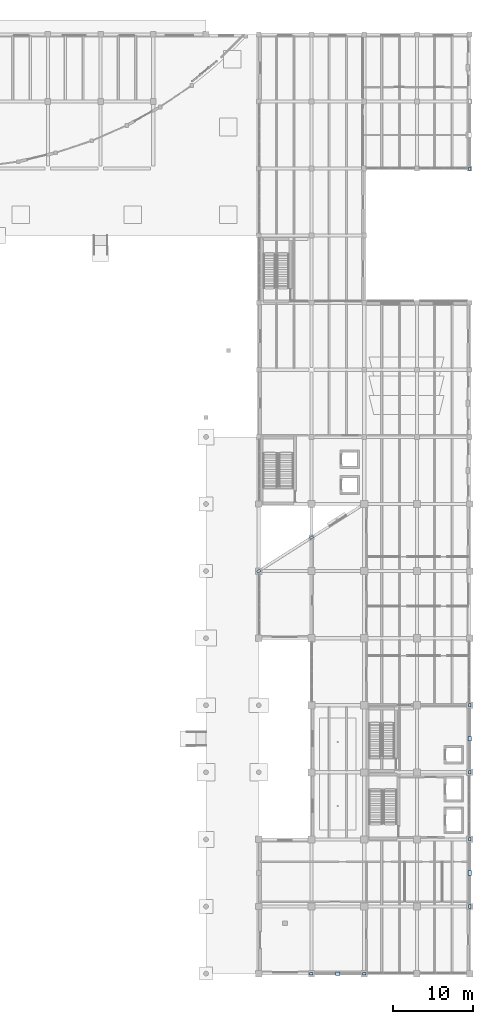
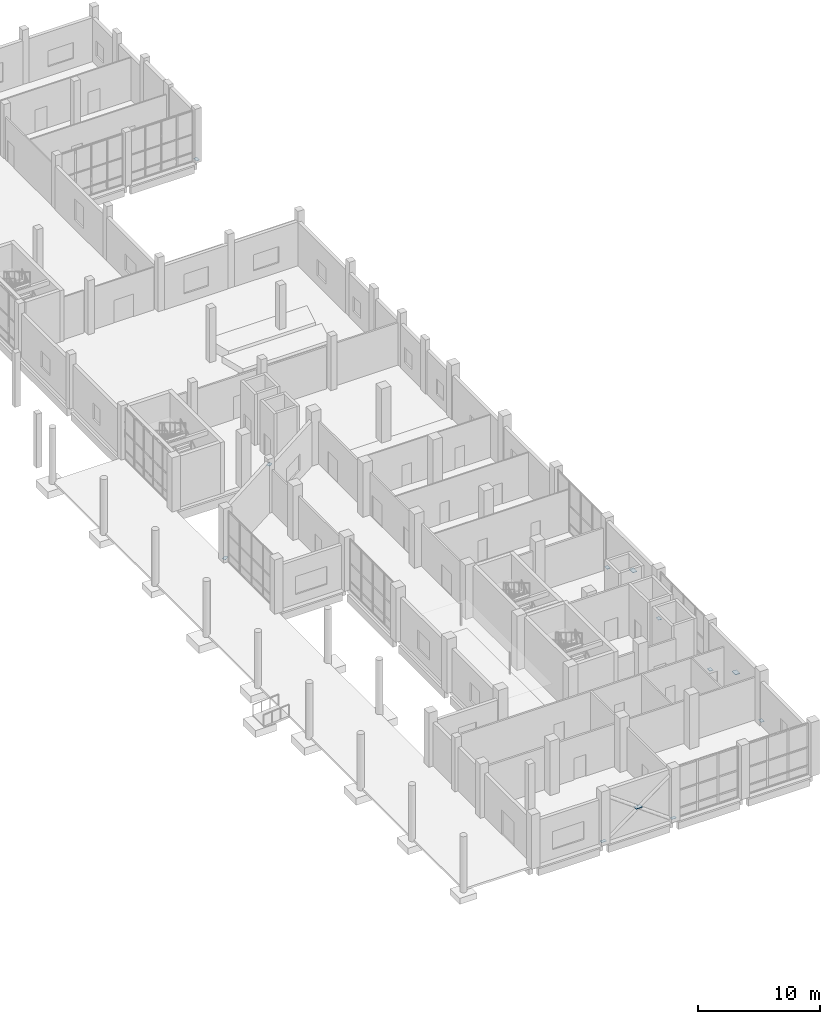
# One storey, part 38 of 64: 12 plates.
"""IFC4 building model written with IfcOpenShell, lengths in metres."""

from ifc_helpers import new_model, si_unit, direction, frame, origin, origin_2d, place, context, subcontext, project, spatial, rectangle, extrude, material, layer, layer_set, type_object, element, save


model = new_model("IFC4")

# Units and contexts
model_context = context("Model", 3, precision=1e-05, world=origin(), true_north=direction((0.0, 1.0)))
body_context = subcontext(model_context, "Body", "Model", "MODEL_VIEW")
ifc_project = project(units=[si_unit("LENGTHUNIT", "METRE"), si_unit("AREAUNIT", "SQUARE_METRE"), si_unit("VOLUMEUNIT", "CUBIC_METRE"), si_unit("PLANEANGLEUNIT", "RADIAN"), si_unit("MASSUNIT", "GRAM", prefix="KILO")], contexts=[model_context])

# Site, building, storey
site_placement = place(None, origin())
site = spatial("IfcSite", under=ifc_project, at=site_placement, CompositionType="ELEMENT")
building_placement = place(site_placement, origin())
building = spatial("IfcBuilding", under=site, at=building_placement, Name="Qaldarim Faculty of Natural and Applied Sciences", CompositionType="ELEMENT")
storey_placement = place(building_placement, origin())
storey = spatial("IfcBuildingStorey", under=building, at=storey_placement, Name="L00", CompositionType="ELEMENT", Elevation=0.0)

# Plates
ifc_material = material(Name="Structural steel S355", Category="steel")
ifc_layer_1 = layer(ifc_material, 0.02001953125)
ifc_layer_set_1 = layer_set([ifc_layer_1], Name="Structural steel S355")
plate_type_1 = type_object("IfcPlateType", Name="GussetPlate-S355-450x320x20", PredefinedType="SHEET", material=ifc_layer_set_1)
for number, where, z_axis, x_axis, name in (
    (1, (158.39990234375, 0.0, 0.139892578125), (0.0, 0.0, 1.0), (1.0, 0.0, 0.0), "South diagrid L00 base gusset BL"),
    (2, (165.0, 0.0, 0.139892578125), (0.0, 0.0, 1.0), (1.0, 0.0, 0.0), "South diagrid L00 base gusset BR"),
    (3, (178.199951171875, 8.39990234375, 0.139892578125), (0.0, 0.0, 1.0), (0.0, 1.0, 0.0), "East diagrid L00 base gusset BL"),
    (4, (178.199951171875, 16.800048828125, 0.139892578125), (0.0, 0.0, 1.0), (0.0, 1.0, 0.0), "East diagrid L00 base gusset BR"),
    (5, (178.199951171875, 25.199951171875, 0.139892578125), (0.0, 0.0, 1.0), (0.0, 1.0, 0.0), "Upper east diagrid L00 base gusset BL"),
    (6, (178.199951171875, 33.60009765625, 0.139892578125), (0.0, 0.0, 1.0), (0.0, 1.0, 0.0), "Upper east diagrid L00 base gusset BR"),
    (7, (178.199951171875, 100.800048828125, 0.139892578125), (0.0, 0.0, 1.0), (0.0, 1.0, 0.0), "Commons east diagrid L00 base gusset BL"),
    (8, (151.800048828125, 50.39990234375, 0.14990234375), (0.0, 0.0, 1.0), (0.838670567945, 0.544639035015, 0.0), "Oblique NW brace base plate L00"),
    (9, (158.39990234375, 54.60009765625, 4.6298828125), (0.0, 0.0, 1.0), (0.838670567945, 0.544639035015, 0.0), "Oblique NW brace head plate L00"),
):
    element("IfcPlate", number, at=place(storey_placement, frame(where, z_axis=z_axis, x_axis=x_axis)), inside=storey, type_object=plate_type_1, Name=name, PredefinedType="SHEET", context=body_context, shape_type="SweptSolid", body=[
        extrude(rectangle(XDim=0.449951171875, YDim=0.320068359375, at=origin_2d()), origin(), (0.0, 0.0, 1.0), 0.02001953125),
    ])
ifc_layer_2 = layer(ifc_material, 0.0400390625)
ifc_layer_set_2 = layer_set([ifc_layer_2], Name="Structural steel S355")
plate_type_2 = type_object("IfcPlateType", Name="NodePlate-S355-600x420x40", PredefinedType="SHEET", material=ifc_layer_set_2)
for number, where, z_axis, x_axis, name in (
    (10, (161.699951171875, 0.0, 2.3798828125), (0.0, 0.0, 1.0), (1.0, 0.0, 0.0), "South diagrid L00 X-crossing gusset plate"),
    (11, (178.199951171875, 12.60009765625, 2.3798828125), (0.0, 0.0, 1.0), (0.0, 1.0, 0.0), "East diagrid L00 X-crossing gusset plate"),
    (12, (178.199951171875, 29.39990234375, 2.3798828125), (0.0, 0.0, 1.0), (0.0, 1.0, 0.0), "Upper east diagrid L00 X-crossing gusset plate"),
):
    element("IfcPlate", number, at=place(storey_placement, frame(where, z_axis=z_axis, x_axis=x_axis)), inside=storey, type_object=plate_type_2, Name=name, PredefinedType="SHEET", context=body_context, shape_type="SweptSolid", body=[
        extrude(rectangle(XDim=0.60009765625, YDim=0.419921875, at=origin_2d()), origin(), (0.0, 0.0, 1.0), 0.0400390625),
    ])

save(model, "model.ifc")
